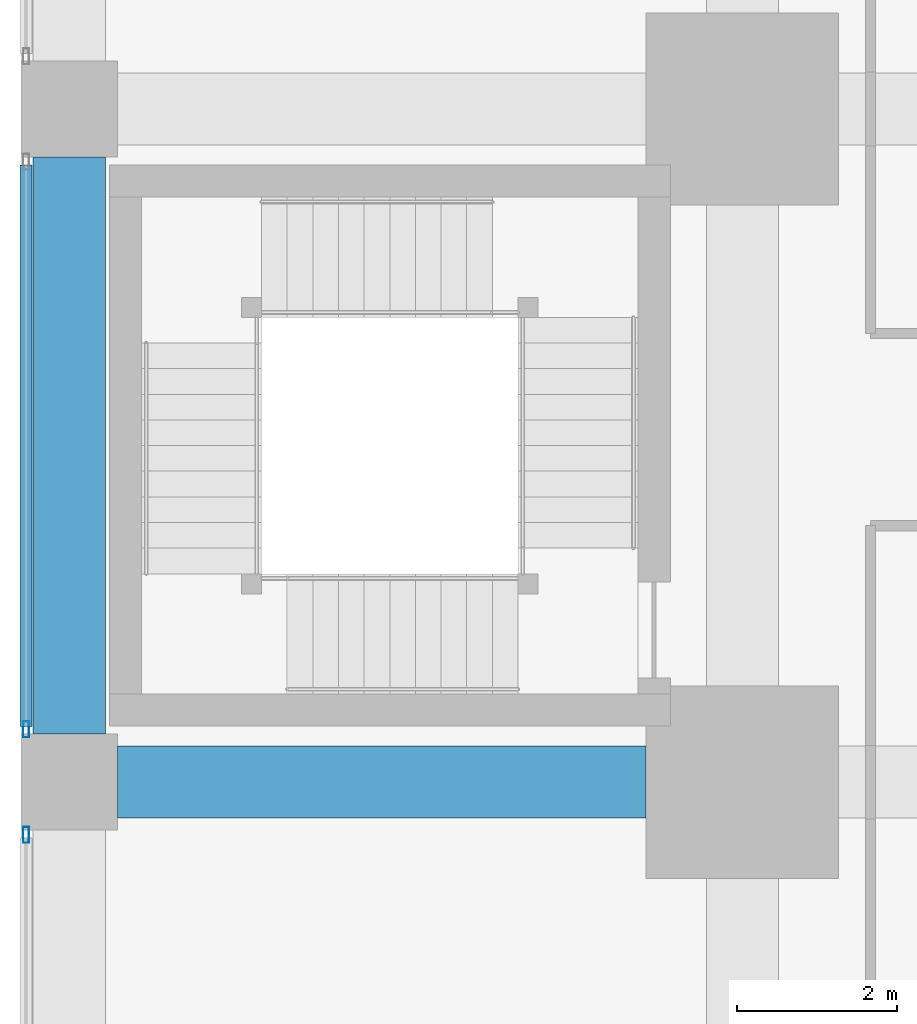
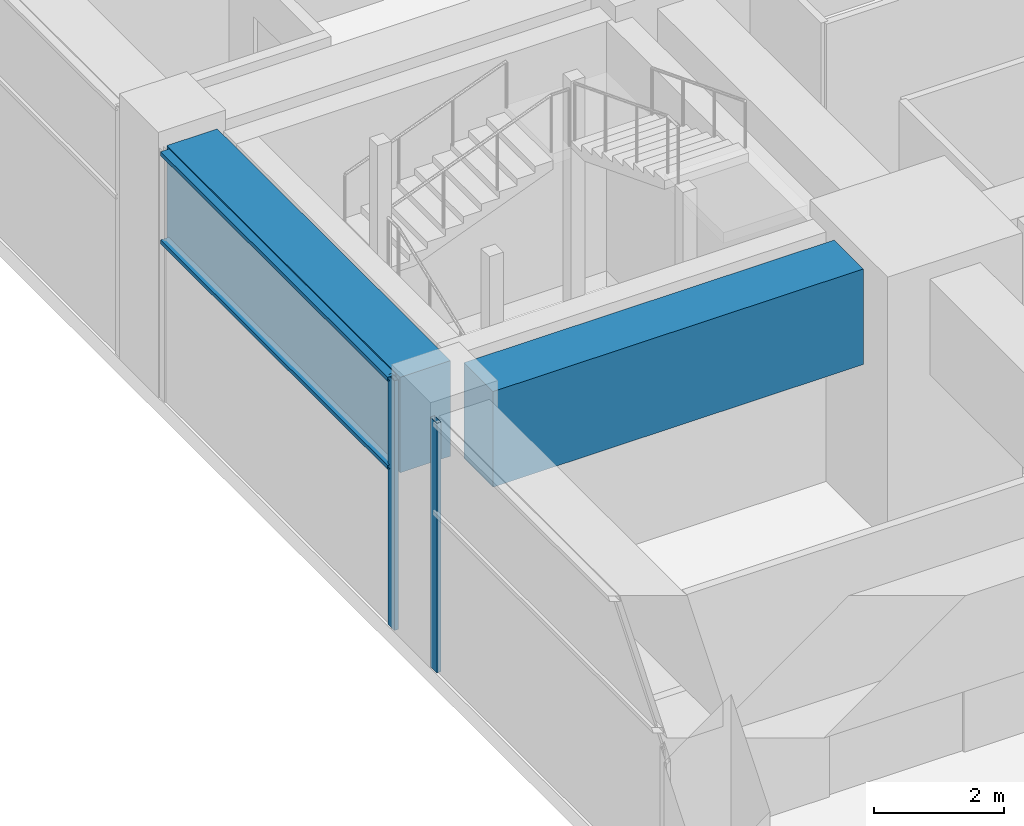
# One storey, part 11 of 49: 4 members, 2 beams, 2 elements without a shape of their own.
"""IFC4 building model written with IfcOpenShell, lengths in metres."""

from ifc_helpers import new_model, si_unit, direction, frame, origin, origin_2d, place, context, subcontext, project, spatial, rectangle, hollow_rectangle, extrude, material, material_profile, profile_set, type_object, element, aggregate, save


model = new_model("IFC4")

# Units and contexts
model_context = context("Model", 3, precision=1e-05, world=origin(), true_north=direction((0.0, 1.0)))
body_context = subcontext(model_context, "Body", "Model", "MODEL_VIEW")
ifc_project = project(units=[si_unit("LENGTHUNIT", "METRE"), si_unit("AREAUNIT", "SQUARE_METRE"), si_unit("VOLUMEUNIT", "CUBIC_METRE"), si_unit("PLANEANGLEUNIT", "RADIAN"), si_unit("MASSUNIT", "GRAM", prefix="KILO")], contexts=[model_context])

# Site, building, storey
site_placement = place(None, origin())
site = spatial("IfcSite", under=ifc_project, at=site_placement, CompositionType="ELEMENT")
building_placement = place(site_placement, origin())
building = spatial("IfcBuilding", under=site, at=building_placement, Name="Rekha Terrace Tower", CompositionType="ELEMENT")
storey_placement = place(building_placement, frame((0.0, 0.0, 5.39990234375)))
storey = spatial("IfcBuildingStorey", under=building, at=storey_placement, Name="L01", CompositionType="ELEMENT", Elevation=5.39990234375)

# Curtain wall, member
ifc_material_1 = material(Name="Aluminium framing", Category="aluminium")
curtain_wall_type = type_object("IfcCurtainWallType", Name="CW4 podium shopfront glazing", PredefinedType="USERDEFINED", material=ifc_material_1)
curtain_wall_1_placement = place(storey_placement, origin())
curtain_wall_1 = element("IfcCurtainWall", 1, at=curtain_wall_1_placement, inside=storey, type_object=curtain_wall_type, Name="CW4 shopfront curtain wall", ObjectType="SHOPFRONT CURTAIN WALL", PredefinedType="USERDEFINED")
ifc_material_2 = material(Name="Aluminium mullion section", Category="aluminium")
ifc_material_profile_1 = material_profile(ifc_material_2, hollow_rectangle(XDim=0.074951171875, YDim=0.199951171875, WallThickness=0.00390625, at=origin_2d()), Name="AL RHS 75x200")
ifc_profile_set_1 = profile_set([ifc_material_profile_1], Name="Aluminium mullion section")
member_type_1 = type_object("IfcMemberType", Name="CW4 mullion RHS 75 x 200", PredefinedType="MULLION", material=ifc_profile_set_1)
member_1_placement = place(storey_placement, frame((-0.5400390625, 25.857421875, 0.0), z_axis=(0.0, 0.0, 1.0), x_axis=(1.0, 0.0, 0.0)))
member_1 = element("IfcMember", 2, at=member_1_placement, type_object=member_type_1, Name="CW4 mullion 2", PredefinedType="MULLION", context=body_context, shape_type="SweptSolid", body=[
    extrude(hollow_rectangle(XDim=0.074951171875, YDim=0.199951171875, WallThickness=0.00390625, at=origin_2d()), origin(), (0.0, 0.0, 1.0), 4.7001953125),
])

curtain_wall_2_placement = place(storey_placement, origin())
curtain_wall_2 = element("IfcCurtainWall", 3, at=curtain_wall_2_placement, inside=storey, type_object=curtain_wall_type, Name="CW4 shopfront curtain wall", ObjectType="SHOPFRONT CURTAIN WALL", PredefinedType="USERDEFINED")
member_2_placement = place(storey_placement, frame((-0.5400390625, 24.54248046875, 0.0), z_axis=(0.0, 0.0, 1.0), x_axis=(1.0, 0.0, 0.0)))
member_2 = element("IfcMember", 4, at=member_2_placement, type_object=member_type_1, Name="CW4 mullion 1", PredefinedType="MULLION", context=body_context, shape_type="SweptSolid", body=[
    extrude(hollow_rectangle(XDim=0.074951171875, YDim=0.199951171875, WallThickness=0.00390625, at=origin_2d()), origin(), (0.0, 0.0, 1.0), 4.7001953125),
])
aggregate(curtain_wall_2, [member_2])

# Member
ifc_material_3 = material(Name="Aluminium transom section", Category="aluminium")
ifc_material_profile_2 = material_profile(ifc_material_3, hollow_rectangle(XDim=0.14990234375, YDim=0.074951171875, WallThickness=0.0029296875, at=origin_2d()), Name="AL RHS 150x75")
ifc_profile_set_2 = profile_set([ifc_material_profile_2], Name="Aluminium transom section")
member_type_2 = type_object("IfcMemberType", Name="CW4 transom RHS 75 x 150", PredefinedType="USERDEFINED", material=ifc_profile_set_2)
member_3_placement = place(storey_placement, frame((-0.5400390625, 32.905029296875, 3.0), z_axis=(0.0, -1.0, 0.0), x_axis=(1.0, 0.0, 0.0)))
member_3 = element("IfcMember", 5, at=member_3_placement, type_object=member_type_2, Name="CW4 transom 1.2", ObjectType="TRANSOM", PredefinedType="USERDEFINED", context=body_context, shape_type="SweptSolid", body=[
    extrude(hollow_rectangle(XDim=0.14990234375, YDim=0.074951171875, WallThickness=0.0029296875, at=origin_2d()), origin(), (0.0, 0.0, 1.0), 7.010009765625),
])

member_4_placement = place(storey_placement, frame((-0.5400390625, 32.905029296875, 4.66259765625), z_axis=(0.0, -1.0, 0.0), x_axis=(1.0, 0.0, 0.0)))
member_4 = element("IfcMember", 6, at=member_4_placement, type_object=member_type_2, Name="CW4 transom 1.3", ObjectType="TRANSOM", PredefinedType="USERDEFINED", context=body_context, shape_type="SweptSolid", body=[
    extrude(hollow_rectangle(XDim=0.14990234375, YDim=0.074951171875, WallThickness=0.0029296875, at=origin_2d()), origin(), (0.0, 0.0, 1.0), 7.010009765625),
])

aggregate(curtain_wall_1, [member_1, member_3, member_4])

# Beams
ifc_material_4 = material(Name="Concrete M60", Category="concrete")
ifc_material_profile_3 = material_profile(ifc_material_4, rectangle(XDim=0.89990234375, YDim=1.800048828125, at=origin_2d()), Name="RC 900x1800")
ifc_profile_set_3 = profile_set([ifc_material_profile_3], Name="Concrete M60")
beam_type = type_object("IfcBeamType", Name="G1 900x1800 podium floor beam", PredefinedType="BEAM", material=ifc_profile_set_3)
beam_1_placement = place(storey_placement, frame((0.60009765625, 25.199951171875, 3.800048828125), z_axis=(1.0, 0.0, 0.0), x_axis=(0.0, 1.0, 0.0)))
element("IfcBeam", 7, at=beam_1_placement, inside=storey, type_object=beam_type, Name="Beam G1 1D-2D under L02", PredefinedType="BEAM", context=body_context, shape_type="SweptSolid", body=[
    extrude(rectangle(XDim=0.89990234375, YDim=1.800048828125, at=origin_2d()), origin(), (0.0, 0.0, 1.0), 6.599853515625),
])
beam_2_placement = place(storey_placement, frame((0.0, 25.800048828125, 3.800048828125), z_axis=(0.0, 1.0, 0.0), x_axis=(-1.0, 0.0, 0.0)))
element("IfcBeam", 8, at=beam_2_placement, inside=storey, type_object=beam_type, Name="Beam G1 1D-1E under L02", PredefinedType="BEAM", context=body_context, shape_type="SweptSolid", body=[
    extrude(rectangle(XDim=0.89990234375, YDim=1.800048828125, at=origin_2d()), origin(), (0.0, 0.0, 1.0), 7.199951171875),
])

save(model, "model.ifc")
